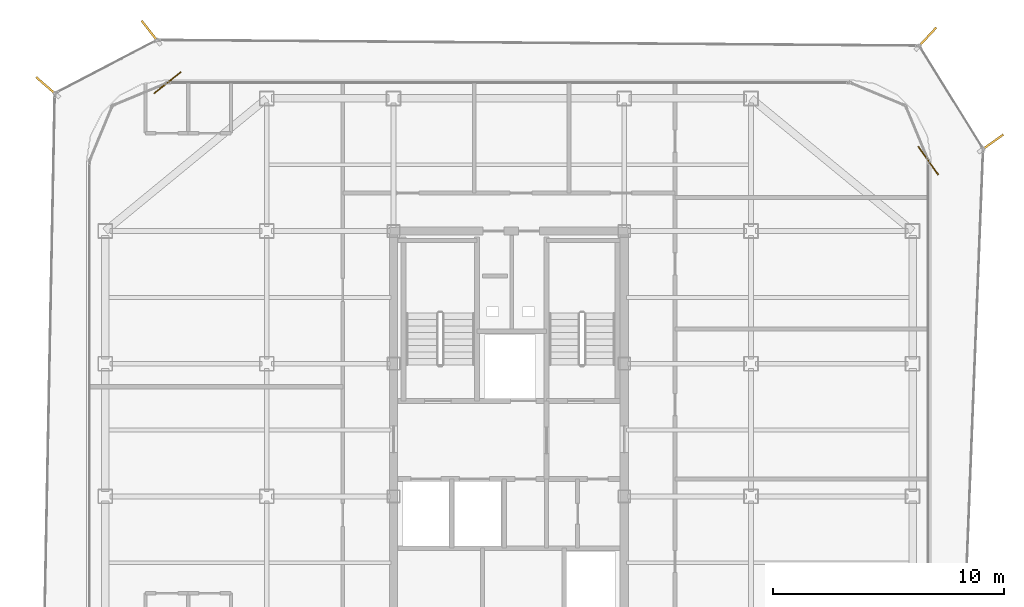
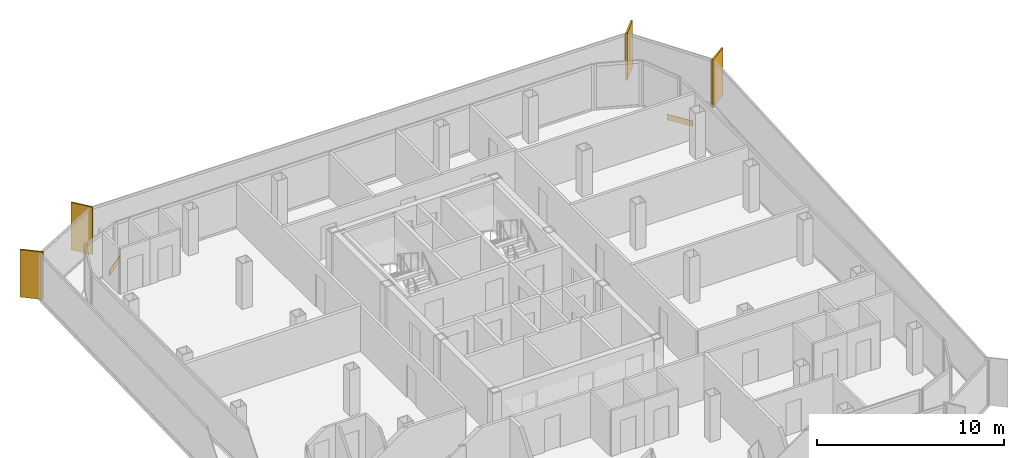
# One storey, part 15 of 15: 4 shading devices, 2 coverings.
"""IFC4 building model written with IfcOpenShell, lengths in metres."""

from ifc_helpers import new_model, si_unit, direction, frame, origin, origin_2d, place, context, subcontext, project, spatial, rectangle, extrude, source, transform, mapped, material, layer, layer_set, type_object, element, save


model = new_model("IFC4")

# Units and contexts
model_context = context("Model", 3, precision=1e-05, world=origin(), true_north=direction((0.0, 1.0)))
body_context = subcontext(model_context, "Body", "Model", "MODEL_VIEW")
ifc_project = project(units=[si_unit("LENGTHUNIT", "METRE"), si_unit("AREAUNIT", "SQUARE_METRE"), si_unit("VOLUMEUNIT", "CUBIC_METRE"), si_unit("PLANEANGLEUNIT", "RADIAN"), si_unit("MASSUNIT", "GRAM", prefix="KILO")], contexts=[model_context])

# Site, building, storey
site_placement = place(None, origin())
site = spatial("IfcSite", under=ifc_project, at=site_placement, CompositionType="ELEMENT")
building_placement = place(site_placement, origin())
building = spatial("IfcBuilding", under=site, at=building_placement, Name="Kolveth Station Tower", CompositionType="ELEMENT")
storey_placement = place(building_placement, frame((0.0, 0.0, 223.300048828125)))
storey = spatial("IfcBuildingStorey", under=building, at=storey_placement, Name="L63", CompositionType="ELEMENT", Elevation=223.300048828125)

# Shading devices
ifc_material_1 = material(Name="Black anodized aluminium 6063-T6", Category="aluminium")
shading_device_type = type_object("IfcShadingDeviceType", Name="FIN_VF1", PredefinedType="USERDEFINED", material=ifc_material_1)
shared_shape_1 = source(origin(), body_context, "Body", "SweptSolid", [
    extrude(rectangle(XDim=1.25, YDim=0.090087890625, at=origin_2d()), origin(), (0.0, 0.0, 1.0), 3.10009765625),
])
for number, where, z_axis, x_axis, name in (
    (1, (44.427001953125, 32.572021484375, 0.0), (0.0, 0.0, 1.0), (0.814216857742, 0.580560856904, 0.0), "L63 Dark-Aluminium Solar Fin 3"),
    (2, (41.59912109375, 37.112060546875, 0.0), (0.0, 0.0, 1.0), (0.680976533192, 0.732305237754, 0.0), "L63 Dark-Aluminium Solar Fin 4"),
    (3, (7.9619140625, 37.3798828125, 0.0), (0.0, 0.0, 1.0), (-0.618682673481, 0.78564098005, 0.0), "L63 Dark-Aluminium Solar Fin 5"),
    (4, (3.47802734375, 35.011962890625, 0.0), (0.0, 0.0, 1.0), (-0.755510544084, 0.6551364879, 0.0), "L63 Dark-Aluminium Solar Fin 6"),
):
    element("IfcShadingDevice", number, at=place(storey_placement, frame(where, z_axis=z_axis, x_axis=x_axis)), inside=storey, type_object=shading_device_type, Name=name, ObjectType="FIN", PredefinedType="USERDEFINED", context=body_context, shape_type="MappedRepresentation", body=[
        mapped(shared_shape_1, transform((0.0, 0.0, 0.0), x_axis=(1.0, 0.0, 0.0), y_axis=(0.0, 1.0, 0.0), z_axis=(0.0, 0.0, 1.0), scale=1.0)),
    ])

# Coverings
ifc_material_2 = material(Name="Charcoal anodized aluminium spandrel cladding", Category="aluminium")
ifc_layer = layer(ifc_material_2, 0.044921875)
ifc_layer_set = layer_set([ifc_layer], Name="Charcoal anodized aluminium spandrel cladding")
covering_type = type_object("IfcCoveringType", Name="Clad_CD1", PredefinedType="CLADDING", material=ifc_layer_set)
shared_shape_2 = source(origin(), body_context, "Body", "SweptSolid", [
    extrude(rectangle(XDim=1.5, YDim=0.044921875, at=origin_2d()), origin(), (0.0, 0.0, 1.0), 0.360107421875),
])
for number, where, z_axis, x_axis, name in (
    (5, (41.679931640625, 31.800048828125, 0.0), (0.0, 0.0, 1.0), (-0.580560856904, 0.814216857742, 0.0), "L63 Spandrel Edge Cladding 3"),
    (6, (8.699951171875, 35.179931640625, 0.0), (0.0, 0.0, 1.0), (-0.78564098005, -0.618682673481, 0.0), "L63 Spandrel Edge Cladding 5"),
):
    element("IfcCovering", number, at=place(storey_placement, frame(where, z_axis=z_axis, x_axis=x_axis)), inside=storey, type_object=covering_type, Name=name, PredefinedType="CLADDING", context=body_context, shape_type="MappedRepresentation", body=[
        mapped(shared_shape_2, transform((0.0, 0.0, 0.0), x_axis=(1.0, 0.0, 0.0), y_axis=(0.0, 1.0, 0.0), z_axis=(0.0, 0.0, 1.0), scale=1.0)),
    ])

save(model, "model.ifc")
